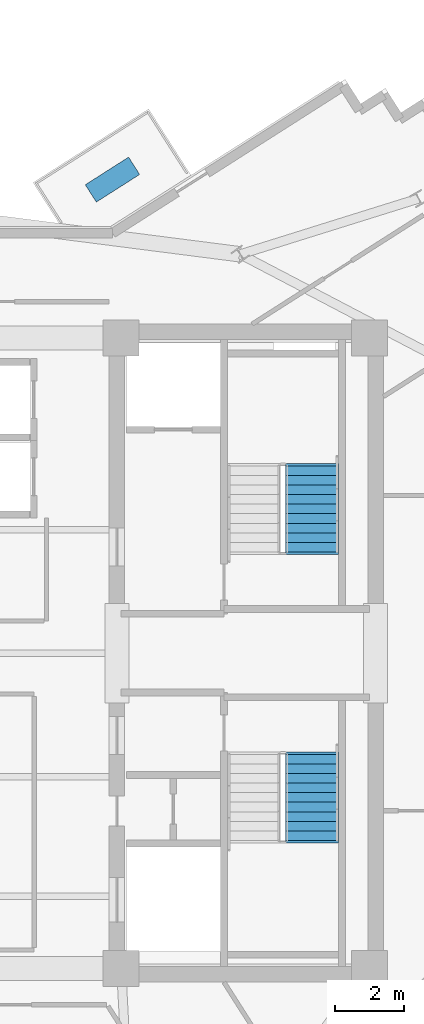
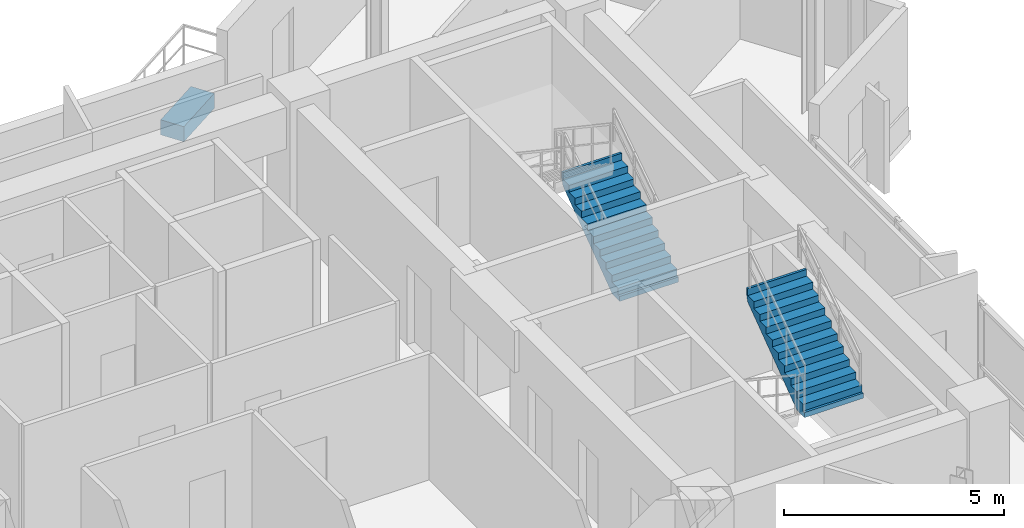
# One storey, part 9 of 12: 2 stair flights, 1 discrete accessory, 2 elements without a shape of their own.
"""IFC4 building model written with IfcOpenShell, lengths in metres."""

from ifc_helpers import new_model, si_unit, direction, frame, origin, origin_2d, place, context, subcontext, project, spatial, polyline, rectangle, outline, extrude, source, transform, mapped, material, type_object, element, aggregate, save


model = new_model("IFC4")

# Units and contexts
model_context = context("Model", 3, precision=1e-05, world=origin(), true_north=direction((0.0, 1.0)))
body_context = subcontext(model_context, "Body", "Model", "MODEL_VIEW")
ifc_project = project(units=[si_unit("LENGTHUNIT", "METRE"), si_unit("AREAUNIT", "SQUARE_METRE"), si_unit("VOLUMEUNIT", "CUBIC_METRE"), si_unit("PLANEANGLEUNIT", "RADIAN"), si_unit("MASSUNIT", "GRAM", prefix="KILO")], contexts=[model_context])

# Site, building, storey
site_placement = place(None, origin())
site = spatial("IfcSite", under=ifc_project, at=site_placement, CompositionType="ELEMENT")
building_placement = place(site_placement, origin())
building = spatial("IfcBuilding", under=site, at=building_placement, Name="Zahravan Cultural Tower", CompositionType="ELEMENT")
storey_placement = place(building_placement, frame((0.0, 0.0, 261.60009765625)))
storey = spatial("IfcBuildingStorey", under=building, at=storey_placement, Name="L62", CompositionType="ELEMENT", Elevation=261.60009765625)

# Stair, stair flight
ifc_material_1 = material(Name="Concrete C45/55", Category="concrete")
stair_type = type_object("IfcStairType", Name="STR-DL-1550-375", PredefinedType="HALF_TURN_STAIR", material=ifc_material_1)
stair_1_placement = place(storey_placement, origin())
stair_1 = element("IfcStair", 1, at=stair_1_placement, inside=storey, type_object=stair_type, Name="L62 East Core North Exit Stair ST-E1", PredefinedType="HALF_TURN_STAIR")
stair_flight_type = type_object("IfcStairFlightType", Name="FLG-DL-1550-375", PredefinedType="STRAIGHT", material=ifc_material_1)
stair_flight_1_placement = place(storey_placement, frame((48.675048828125, 29.949951171875, 0.0), z_axis=(0.0, 0.0, 1.0), x_axis=(0.0, 1.0, 0.0)))
stair_flight_1 = element("IfcStairFlight", 2, at=stair_flight_1_placement, type_object=stair_flight_type, Name="ST-E1 flight 1", NumberOfRisers=10, NumberOfTreads=9, PredefinedType="STRAIGHT", RiserHeight=0.1875, TreadLength=0.28, context=body_context, shape_type="SweptSolid", body=[
    extrude(outline(polyline([(-0.06494140625, -0.139892578125), (-0.06494140625, 0.0), (0.0, 0.0), (0.0, 0.1875), (0.280029296875, 0.1875), (0.280029296875, 0.375), (0.56005859375, 0.375), (0.56005859375, 0.5625), (0.840087890625, 0.5625), (0.840087890625, 0.75), (1.1201171875, 0.75), (1.1201171875, 0.9375), (1.39990234375, 0.9375), (1.39990234375, 1.125), (1.679931640625, 1.125), (1.679931640625, 1.3125), (1.9599609375, 1.3125), (1.9599609375, 1.5), (2.239990234375, 1.5), (2.239990234375, 1.6875), (2.52001953125, 1.6875), (2.52001953125, 1.875), (2.5849609375, 1.875), (2.5849609375, 1.72509765625), (2.52001953125, 1.507080078125), (0.26953125, -0.139892578125), (-0.06494140625, -0.139892578125)])), frame((0.0, 0.77490234375, 0.0), z_axis=(0.0, -1.0, 0.0), x_axis=(1.0, 0.0, 0.0)), (0.0, 0.0, 1.0), 1.550048828125),
])
aggregate(stair_1, [stair_flight_1])

stair_2_placement = place(storey_placement, origin())
stair_2 = element("IfcStair", 3, at=stair_2_placement, inside=storey, type_object=stair_type, Name="L62 East Core South Exit Stair ST-E2", PredefinedType="HALF_TURN_STAIR")
stair_flight_2_placement = place(storey_placement, frame((48.675048828125, 21.530029296875, 1.875), z_axis=(0.0, 0.0, 1.0), x_axis=(0.0, 1.0, 0.0)))
stair_flight_2 = element("IfcStairFlight", 4, at=stair_flight_2_placement, type_object=stair_flight_type, Name="ST-E2 flight 2", NumberOfRisers=10, NumberOfTreads=9, PredefinedType="STRAIGHT", RiserHeight=0.1875, TreadLength=0.28, context=body_context, shape_type="SweptSolid", body=[
    extrude(outline(polyline([(-0.06494140625, -0.139892578125), (-0.06494140625, 0.0), (0.0, 0.0), (0.0, 0.1875), (0.280029296875, 0.1875), (0.280029296875, 0.375), (0.56005859375, 0.375), (0.56005859375, 0.5625), (0.840087890625, 0.5625), (0.840087890625, 0.75), (1.1201171875, 0.75), (1.1201171875, 0.9375), (1.39990234375, 0.9375), (1.39990234375, 1.125), (1.679931640625, 1.125), (1.679931640625, 1.3125), (1.9599609375, 1.3125), (1.9599609375, 1.5), (2.239990234375, 1.5), (2.239990234375, 1.6875), (2.52001953125, 1.6875), (2.52001953125, 1.875), (2.5849609375, 1.875), (2.5849609375, 1.72509765625), (2.52001953125, 1.507080078125), (0.26953125, -0.139892578125), (-0.06494140625, -0.139892578125)])), frame((0.0, 0.77490234375, 0.0), z_axis=(0.0, -1.0, 0.0), x_axis=(1.0, 0.0, 0.0)), (0.0, 0.0, 1.0), 1.550048828125),
])
aggregate(stair_2, [stair_flight_2])

# Discrete accessory
ifc_material_2 = material(Name="Planted soil and terracotta planter", Category="masonry")
discrete_accessory_type = type_object("IfcDiscreteAccessoryType", Name="ACC-PLANTER-TC", PredefinedType="USERDEFINED", material=ifc_material_2)
shared_shape = source(origin(), body_context, "Body", "SweptSolid", [
    extrude(rectangle(XDim=1.5, YDim=0.60009765625, at=origin_2d()), origin(), (0.0, 0.0, 1.0), 0.419921875),
])
discrete_accessory_placement = place(storey_placement, frame((42.846435546875, 40.820556640625, 0.0), z_axis=(0.0, 0.0, 1.0), x_axis=(0.843391445813, 0.537299608347, 0.0)))
element("IfcDiscreteAccessory", 5, at=discrete_accessory_placement, inside=storey, type_object=discrete_accessory_type, Name="L62 Terracotta Sculpture Planter NE", ObjectType="PLANTER", PredefinedType="USERDEFINED", context=body_context, shape_type="MappedRepresentation", body=[
    mapped(shared_shape, transform((0.0, 0.0, 0.0), x_axis=(1.0, 0.0, 0.0), y_axis=(0.0, 1.0, 0.0), z_axis=(0.0, 0.0, 1.0), scale=1.0)),
])

save(model, "model.ifc")
